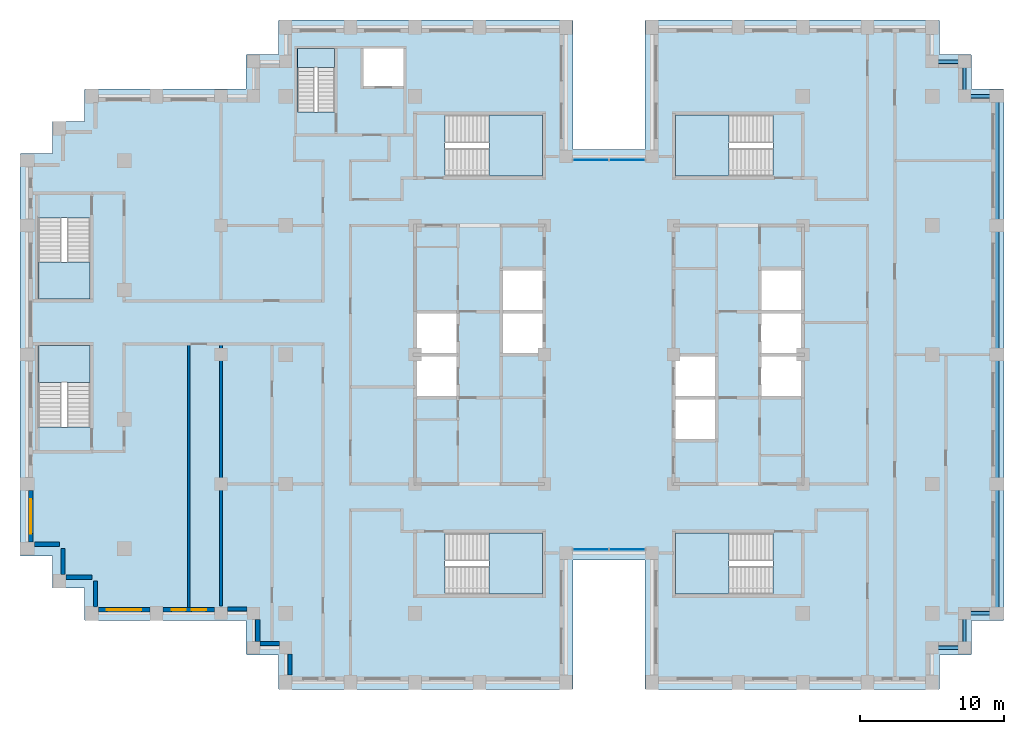
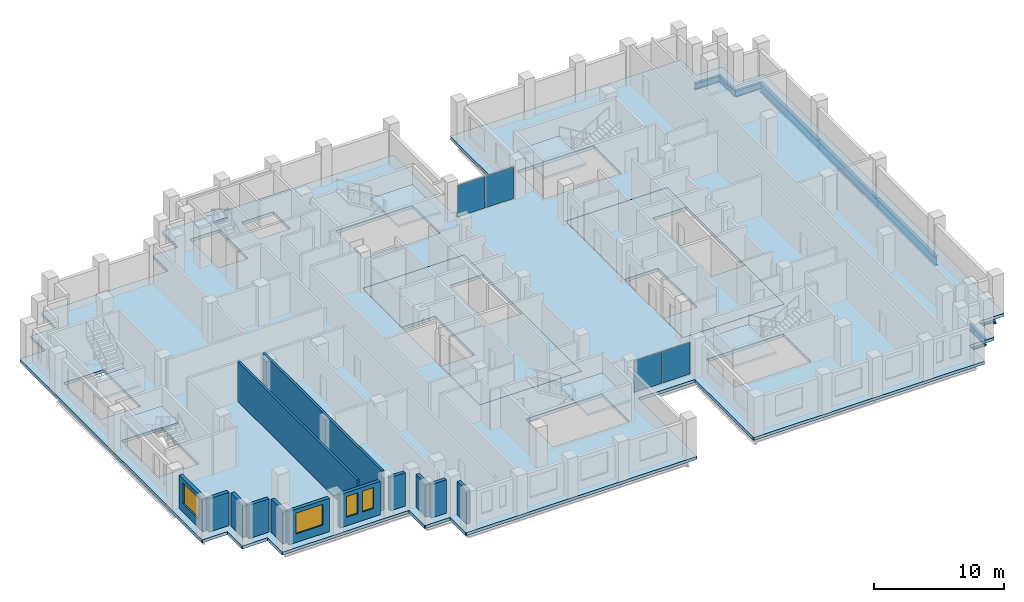
# One storey, part 5 of 15: 13 walls, 10 beams, 10 slabs, 4 plates, 4 windows, 4 openings, 9 elements without a shape of their own.
"""IFC4 building model written with IfcOpenShell, lengths in metres."""

from ifc_helpers import new_model, si_unit, direction, frame, frame_2d, origin, origin_2d, place, context, subcontext, project, spatial, polyline, rectangle, i_section, outline, extrude, material, layer, layer_set, material_profile, profile_set, type_object, element, fill, aggregate, save


model = new_model("IFC4")

# Units and contexts
model_context = context("Model", 3, precision=1e-05, world=origin(), true_north=direction((0.0, 1.0)))
body_context = subcontext(model_context, "Body", "Model", "MODEL_VIEW")
ifc_project = project(units=[si_unit("LENGTHUNIT", "METRE"), si_unit("AREAUNIT", "SQUARE_METRE"), si_unit("VOLUMEUNIT", "CUBIC_METRE"), si_unit("PLANEANGLEUNIT", "RADIAN"), si_unit("MASSUNIT", "GRAM", prefix="KILO")], contexts=[model_context])

# Site, building, storey
site_placement = place(None, origin())
site = spatial("IfcSite", under=ifc_project, at=site_placement, CompositionType="ELEMENT")
building_placement = place(site_placement, origin())
building = spatial("IfcBuilding", under=site, at=building_placement, Name="Corbelhall Arena Tower", CompositionType="ELEMENT")
storey_placement = place(building_placement, frame((0.0, 0.0, 224.0)))
storey = spatial("IfcBuildingStorey", under=building, at=storey_placement, Name="L47", CompositionType="ELEMENT", Elevation=224.0)

# Beams
ifc_material_1 = material(Name="Steel ASTM A992 Gr50", Category="steel")
ifc_material_profile_1 = material_profile(ifc_material_1, i_section(OverallWidth=0.228271484375, OverallDepth=0.607177734375, WebThickness=0.01123046875, FlangeThickness=0.017333984375, at=origin_2d()))
ifc_profile_set_1 = profile_set([ifc_material_profile_1], Name="Steel ASTM A992 Gr50")
beam_type_1 = type_object("IfcBeamType", Name="ST-SPANDREL-W24x76", PredefinedType="SPANDREL", material=ifc_profile_set_1)
for number, where, z_axis, x_axis, name in (
    (1, (27.0, -18.0, -0.58349609375), (-1.0, 0.0, 0.0), (0.0, -1.0, 0.0), "Beam SP 12"),
    (2, (22.5, 20.39990234375, -0.58349609375), (1.0, 0.0, 0.0), (0.0, 1.0, 0.0), "Beam SP 39"),
):
    element("IfcBeam", number, at=place(storey_placement, frame(where, z_axis=z_axis, x_axis=x_axis)), inside=storey, type_object=beam_type_1, Name=name, PredefinedType="SPANDREL", context=body_context, shape_type="SweptSolid", body=[
        extrude(i_section(OverallWidth=0.228271484375, OverallDepth=0.607177734375, WebThickness=0.01123046875, FlangeThickness=0.017333984375, at=origin_2d()), origin(), (0.0, 0.0, 1.0), 2.25),
    ])
beam_1_placement = place(storey_placement, frame((24.75, 20.39990234375, -0.58349609375), z_axis=(0.0, -1.0, 0.0), x_axis=(1.0, 0.0, 0.0)))
element("IfcBeam", 3, at=beam_1_placement, inside=storey, type_object=beam_type_1, Name="Beam SP 40", PredefinedType="SPANDREL", context=body_context, shape_type="SweptSolid", body=[
    extrude(i_section(OverallWidth=0.228271484375, OverallDepth=0.607177734375, WebThickness=0.01123046875, FlangeThickness=0.017333984375, at=origin_2d()), origin(), (0.0, 0.0, 1.0), 2.39990234375),
])
for number, where, z_axis, x_axis, name in (
    (4, (24.75, 18.0, -0.58349609375), (1.0, 0.0, 0.0), (0.0, 1.0, 0.0), "Beam SP 41"),
    (5, (24.75, -20.39990234375, -0.58349609375), (-1.0, 0.0, 0.0), (0.0, -1.0, 0.0), "Beam SP 46"),
):
    element("IfcBeam", number, at=place(storey_placement, frame(where, z_axis=z_axis, x_axis=x_axis)), inside=storey, type_object=beam_type_1, Name=name, PredefinedType="SPANDREL", context=body_context, shape_type="SweptSolid", body=[
        extrude(i_section(OverallWidth=0.228271484375, OverallDepth=0.607177734375, WebThickness=0.01123046875, FlangeThickness=0.017333984375, at=origin_2d()), origin(), (0.0, 0.0, 1.0), 2.25),
    ])
beam_2_placement = place(storey_placement, frame((24.75, -18.0, -0.58349609375), z_axis=(0.0, -1.0, 0.0), x_axis=(1.0, 0.0, 0.0)))
element("IfcBeam", 6, at=beam_2_placement, inside=storey, type_object=beam_type_1, Name="Beam SP 47", PredefinedType="SPANDREL", context=body_context, shape_type="SweptSolid", body=[
    extrude(i_section(OverallWidth=0.228271484375, OverallDepth=0.607177734375, WebThickness=0.01123046875, FlangeThickness=0.017333984375, at=origin_2d()), origin(), (0.0, 0.0, 1.0), 2.39990234375),
])
ifc_material_profile_2 = material_profile(ifc_material_1, i_section(OverallWidth=0.2919921875, OverallDepth=0.845703125, WebThickness=0.015380859375, FlangeThickness=0.0244140625, at=origin_2d()))
ifc_profile_set_2 = profile_set([ifc_material_profile_2], Name="Steel ASTM A992 Gr50")
beam_type_2 = type_object("IfcBeamType", Name="ST-SPANDREL-W33x141", PredefinedType="SPANDREL", material=ifc_profile_set_2)
for number, where, z_axis, x_axis, name in (
    (7, (27.0, 0.0, -0.702880859375), (0.0, -1.0, 0.0), (1.0, 0.0, 0.0), "Beam SP 8"),
    (8, (27.0, 9.0, -0.702880859375), (0.0, -1.0, 0.0), (1.0, 0.0, 0.0), "Beam SP 9"),
    (9, (27.0, 18.0, -0.702880859375), (0.0, -1.0, 0.0), (1.0, 0.0, 0.0), "Beam SP 10"),
    (10, (27.0, -9.0, -0.702880859375), (0.0, -1.0, 0.0), (1.0, 0.0, 0.0), "Beam SP 11"),
):
    element("IfcBeam", number, at=place(storey_placement, frame(where, z_axis=z_axis, x_axis=x_axis)), inside=storey, type_object=beam_type_2, Name=name, PredefinedType="SPANDREL", context=body_context, shape_type="SweptSolid", body=[
        extrude(i_section(OverallWidth=0.2919921875, OverallDepth=0.845703125, WebThickness=0.015380859375, FlangeThickness=0.0244140625, at=origin_2d()), origin(), (0.0, 0.0, 1.0), 9.0),
    ])

# Curtain wall, plates
ifc_material_2 = material(Name="Aluminium black anodised", Category="aluminium")
ifc_layer_1 = layer(ifc_material_2, 0.199951171875)
ifc_layer_set_1 = layer_set([ifc_layer_1], Name="EV-CW1 Slot back wall")
curtain_wall_type = type_object("IfcCurtainWallType", Name="EV-CW1 Slot back wall", PredefinedType="NOTDEFINED", material=ifc_layer_set_1)
curtain_wall_1_placement = place(storey_placement, origin())
curtain_wall_1 = element("IfcCurtainWall", 11, at=curtain_wall_1_placement, inside=storey, type_object=curtain_wall_type, Name="Curtain wall CW1", PredefinedType="NOTDEFINED")
ifc_material_3 = material(Name="Glass dark tinted laminated", Category="glass")
ifc_layer_2 = layer(ifc_material_3, 0.028076171875)
ifc_layer_set_2 = layer_set([ifc_layer_2], Name="EV-CW1-PANEL")
plate_type = type_object("IfcPlateType", Name="EV-CW1-PANEL", PredefinedType="CURTAIN_PANEL", material=ifc_layer_set_2)
plate_1_placement = place(storey_placement, frame((-1.25634765625, -13.550048828125, 0.0751953125), z_axis=(0.0, 0.0, 1.0), x_axis=(1.0, 0.0, 0.0)))
plate_1 = element("IfcPlate", 12, at=plate_1_placement, type_object=plate_type, Name="CW1 panel 1.1", PredefinedType="CURTAIN_PANEL", context=body_context, shape_type="SweptSolid", body=[
    extrude(rectangle(XDim=2.4375, YDim=0.028076171875, at=origin_2d()), origin(), (0.0, 0.0, 1.0), 2.969970703125),
])
plate_2_placement = place(storey_placement, frame((1.25634765625, -13.550048828125, 0.0751953125), z_axis=(0.0, 0.0, 1.0), x_axis=(1.0, 0.0, 0.0)))
plate_2 = element("IfcPlate", 13, at=plate_2_placement, type_object=plate_type, Name="CW1 panel 2.1", PredefinedType="CURTAIN_PANEL", context=body_context, shape_type="SweptSolid", body=[
    extrude(rectangle(XDim=2.4375, YDim=0.028076171875, at=origin_2d()), origin(), (0.0, 0.0, 1.0), 2.969970703125),
])
aggregate(curtain_wall_1, [plate_1, plate_2])

curtain_wall_2_placement = place(storey_placement, origin())
curtain_wall_2 = element("IfcCurtainWall", 14, at=curtain_wall_2_placement, inside=storey, type_object=curtain_wall_type, Name="Curtain wall CW1", PredefinedType="NOTDEFINED")
plate_3_placement = place(storey_placement, frame((1.25634765625, 13.550048828125, 0.0751953125), z_axis=(0.0, 0.0, 1.0), x_axis=(-1.0, 0.0, 0.0)))
plate_3 = element("IfcPlate", 15, at=plate_3_placement, type_object=plate_type, Name="CW1 panel 1.1", PredefinedType="CURTAIN_PANEL", context=body_context, shape_type="SweptSolid", body=[
    extrude(rectangle(XDim=2.4375, YDim=0.028076171875, at=origin_2d()), origin(), (0.0, 0.0, 1.0), 2.969970703125),
])
plate_4_placement = place(storey_placement, frame((-1.25634765625, 13.550048828125, 0.0751953125), z_axis=(0.0, 0.0, 1.0), x_axis=(-1.0, 0.0, 0.0)))
plate_4 = element("IfcPlate", 16, at=plate_4_placement, type_object=plate_type, Name="CW1 panel 2.1", PredefinedType="CURTAIN_PANEL", context=body_context, shape_type="SweptSolid", body=[
    extrude(rectangle(XDim=2.4375, YDim=0.028076171875, at=origin_2d()), origin(), (0.0, 0.0, 1.0), 2.969970703125),
])
aggregate(curtain_wall_2, [plate_3, plate_4])

# Slabs
ifc_material_4 = material(Name="Concrete C40/50", Category="concrete")
ifc_layer_3 = layer(ifc_material_4, 0.300048828125)
ifc_layer_set_3 = layer_set([ifc_layer_3], Name="IN-SL-CORE")
slab_type_1 = type_object("IfcSlabType", Name="IN-SL-CORE", PredefinedType="FLOOR", material=ifc_layer_set_3)
slab_1_placement = place(storey_placement, frame((0.0, 0.0, -0.280029296875)))
element("IfcSlab", 17, at=slab_1_placement, inside=storey, type_object=slab_type_1, Name="Core floor W", PredefinedType="FLOOR", context=body_context, shape_type="SweptSolid", body=[
    extrude(outline(polyline([(-10.5, -3.0), (-13.5, -3.0), (-13.5, -9.0), (-4.5, -9.0), (-4.5, 0.0), (-7.5, 0.0), (-7.5, 3.0), (-7.5, 6.0), (-4.5, 6.0), (-4.5, 9.0), (-13.5, 9.0), (-13.5, 3.0), (-10.5, 3.0), (-10.5, 0.0), (-10.5, -3.0)])), origin(), (0.0, 0.0, 1.0), 0.280029296875),
])
slab_2_placement = place(storey_placement, frame((0.0, 0.0, -0.280029296875)))
element("IfcSlab", 18, at=slab_2_placement, inside=storey, type_object=slab_type_1, Name="Core floor E", PredefinedType="FLOOR", context=body_context, shape_type="SweptSolid", body=[
    extrude(outline(polyline([(13.5, -3.0), (10.5, -3.0), (10.5, 0.0), (10.5, 3.0), (10.5, 6.0), (13.5, 6.0), (13.5, 9.0), (4.5, 9.0), (4.5, 0.0), (7.5, 0.0), (7.5, -3.0), (7.5, -6.0), (4.5, -6.0), (4.5, -9.0), (13.5, -9.0), (13.5, -3.0)])), origin(), (0.0, 0.0, 1.0), 0.280029296875),
])

# Stair, slab
stair_type = type_object("IfcStairType", Name="IN-ST-TOWER", PredefinedType="HALF_TURN_STAIR", material=ifc_material_4)
stair_1_placement = place(storey_placement, origin())
stair_1 = element("IfcStair", 19, at=stair_1_placement, inside=storey, type_object=stair_type, Name="L47 Exit stair ST1", PredefinedType="HALF_TURN_STAIR")
ifc_layer_4 = layer(ifc_material_4, 0.199951171875)
ifc_layer_set_4 = layer_set([ifc_layer_4], Name="IN-SL-LANDING")
slab_type_2 = type_object("IfcSlabType", Name="IN-SL-LANDING", PredefinedType="LANDING", material=ifc_layer_set_4)
slab_3_placement = place(storey_placement, frame((0.0, 0.0, 1.800048828125)))
slab_3 = element("IfcSlab", 20, at=slab_3_placement, type_object=slab_type_2, Name="ST1 landing 1", PredefinedType="LANDING", context=body_context, shape_type="SweptSolid", body=[
    extrude(outline(polyline([(-8.344970703125, 12.425048828125), (-4.625, 12.425048828125), (-4.625, 16.675048828125), (-8.344970703125, 16.675048828125), (-8.344970703125, 12.425048828125)])), origin(), (0.0, 0.0, 1.0), 0.199951171875),
])
aggregate(stair_1, [slab_3])

stair_2_placement = place(storey_placement, origin())
stair_2 = element("IfcStair", 21, at=stair_2_placement, inside=storey, type_object=stair_type, Name="L47 Exit stair ST2", PredefinedType="HALF_TURN_STAIR")
slab_4_placement = place(storey_placement, frame((0.0, 0.0, 1.800048828125)))
slab_4 = element("IfcSlab", 22, at=slab_4_placement, type_object=slab_type_2, Name="ST2 landing 1", PredefinedType="LANDING", context=body_context, shape_type="SweptSolid", body=[
    extrude(outline(polyline([(-8.344970703125, -16.675048828125), (-4.625, -16.675048828125), (-4.625, -12.425048828125), (-8.344970703125, -12.425048828125), (-8.344970703125, -16.675048828125)])), origin(), (0.0, 0.0, 1.0), 0.199951171875),
])
aggregate(stair_2, [slab_4])

stair_3_placement = place(storey_placement, origin())
stair_3 = element("IfcStair", 23, at=stair_3_placement, inside=storey, type_object=stair_type, Name="L47 Exit stair ST3", PredefinedType="HALF_TURN_STAIR")
slab_5_placement = place(storey_placement, frame((0.0, 0.0, 1.800048828125)))
slab_5 = element("IfcSlab", 24, at=slab_5_placement, type_object=slab_type_2, Name="ST3 landing 1", PredefinedType="LANDING", context=body_context, shape_type="SweptSolid", body=[
    extrude(outline(polyline([(8.344970703125, 16.675048828125), (4.625, 16.675048828125), (4.625, 12.425048828125), (8.344970703125, 12.425048828125), (8.344970703125, 16.675048828125)])), origin(), (0.0, 0.0, 1.0), 0.199951171875),
])
aggregate(stair_3, [slab_5])

stair_4_placement = place(storey_placement, origin())
stair_4 = element("IfcStair", 25, at=stair_4_placement, inside=storey, type_object=stair_type, Name="L47 Exit stair ST4", PredefinedType="HALF_TURN_STAIR")
slab_6_placement = place(storey_placement, frame((0.0, 0.0, 1.800048828125)))
slab_6 = element("IfcSlab", 26, at=slab_6_placement, type_object=slab_type_2, Name="ST4 landing 1", PredefinedType="LANDING", context=body_context, shape_type="SweptSolid", body=[
    extrude(outline(polyline([(8.344970703125, -12.425048828125), (4.625, -12.425048828125), (4.625, -16.675048828125), (8.344970703125, -16.675048828125), (8.344970703125, -12.425048828125)])), origin(), (0.0, 0.0, 1.0), 0.199951171875),
])
aggregate(stair_4, [slab_6])

stair_5_placement = place(storey_placement, origin())
stair_5 = element("IfcStair", 27, at=stair_5_placement, inside=storey, type_object=stair_type, Name="L47 Exit stair SC1", PredefinedType="HALF_TURN_STAIR")
slab_7_placement = place(storey_placement, frame((0.0, 0.0, 1.800048828125)))
slab_7 = element("IfcSlab", 28, at=slab_7_placement, type_object=slab_type_2, Name="SC1 landing 1", PredefinedType="LANDING", context=body_context, shape_type="SweptSolid", body=[
    extrude(outline(polyline([(-39.699951171875, 6.445068359375), (-39.699951171875, 3.875), (-36.125, 3.875), (-36.125, 6.445068359375), (-39.699951171875, 6.445068359375)])), origin(), (0.0, 0.0, 1.0), 0.199951171875),
])
aggregate(stair_5, [slab_7])

stair_6_placement = place(storey_placement, origin())
stair_6 = element("IfcStair", 29, at=stair_6_placement, inside=storey, type_object=stair_type, Name="L47 Exit stair SC2", PredefinedType="HALF_TURN_STAIR")
slab_8_placement = place(storey_placement, frame((0.0, 0.0, 1.800048828125)))
slab_8 = element("IfcSlab", 30, at=slab_8_placement, type_object=slab_type_2, Name="SC2 landing 1", PredefinedType="LANDING", context=body_context, shape_type="SweptSolid", body=[
    extrude(outline(polyline([(-36.125, -1.945068359375), (-36.125, 0.625), (-39.699951171875, 0.625), (-39.699951171875, -1.945068359375), (-36.125, -1.945068359375)])), origin(), (0.0, 0.0, 1.0), 0.199951171875),
])
aggregate(stair_6, [slab_8])

stair_7_placement = place(storey_placement, origin())
stair_7 = element("IfcStair", 31, at=stair_7_placement, inside=storey, type_object=stair_type, Name="L47 Exit stair ST5", PredefinedType="HALF_TURN_STAIR")
slab_9_placement = place(storey_placement, frame((0.0, 0.0, 1.800048828125)))
slab_9 = element("IfcSlab", 32, at=slab_9_placement, type_object=slab_type_2, Name="ST5 landing 1", PredefinedType="LANDING", context=body_context, shape_type="SweptSolid", body=[
    extrude(outline(polyline([(-19.094970703125, 19.97998046875), (-19.094970703125, 21.300048828125), (-21.695068359375, 21.300048828125), (-21.695068359375, 19.97998046875), (-19.094970703125, 19.97998046875)])), origin(), (0.0, 0.0, 1.0), 0.199951171875),
])
aggregate(stair_7, [slab_9])

# Slab
ifc_layer_5 = layer(ifc_material_4, 0.280029296875)
ifc_layer_set_5 = layer_set([ifc_layer_5], Name="ST-SLAB-FLOOR-280")
slab_type_3 = type_object("IfcSlabType", Name="ST-SLAB-FLOOR-280", PredefinedType="FLOOR", material=ifc_layer_set_5)
slab_10_placement = place(storey_placement, frame((0.0, 0.0, -0.280029296875)))
element("IfcSlab", 33, at=slab_10_placement, inside=storey, type_object=slab_type_3, Name="Floor slab L47 1", PredefinedType="FLOOR", context=body_context, shape_type="SweptSolid", body=[
    extrude(outline(polyline([(23.0, 23.25), (22.949951171875, 23.300048828125), (2.550048828125, 23.300048828125), (2.5, 23.25), (2.5, 14.300048828125), (-2.5, 14.300048828125), (-2.5, 23.25), (-2.550048828125, 23.300048828125), (-22.949951171875, 23.300048828125), (-23.0, 23.25), (-23.0, 20.89990234375), (-25.199951171875, 20.89990234375), (-25.25, 20.85009765625), (-25.25, 18.5), (-36.449951171875, 18.5), (-36.5, 18.449951171875), (-36.5, 16.25), (-38.699951171875, 16.25), (-38.75, 16.199951171875), (-38.75, 14.0), (-40.949951171875, 14.0), (-41.0, 13.949951171875), (-41.0, -13.949951171875), (-40.949951171875, -14.0), (-38.75, -14.0), (-38.75, -16.199951171875), (-38.699951171875, -16.25), (-36.5, -16.25), (-36.5, -18.449951171875), (-36.449951171875, -18.5), (-25.25, -18.5), (-25.25, -20.85009765625), (-25.199951171875, -20.89990234375), (-23.0, -20.89990234375), (-23.0, -23.25), (-22.949951171875, -23.300048828125), (-2.550048828125, -23.300048828125), (-2.5, -23.25), (-2.5, -14.300048828125), (2.5, -14.300048828125), (2.5, -23.25), (2.550048828125, -23.300048828125), (22.949951171875, -23.300048828125), (23.0, -23.25), (23.0, -20.89990234375), (25.199951171875, -20.89990234375), (25.25, -20.85009765625), (25.25, -18.5), (27.449951171875, -18.5), (27.5, -18.449951171875), (27.5, 18.449951171875), (27.449951171875, 18.5), (25.25, 18.5), (25.25, 20.85009765625), (25.199951171875, 20.89990234375), (23.0, 20.89990234375), (23.0, 23.25)]), holes=[polyline([(-4.5, -9.0), (-4.5, 9.0), (-13.5, 9.0), (-13.5, -9.0), (-4.5, -9.0)]), polyline([(13.5, -9.0), (13.5, 9.0), (4.5, 9.0), (4.5, -9.0), (13.5, -9.0)]), polyline([(-11.422119140625, 12.425048828125), (-4.625, 12.425048828125), (-4.625, 16.675048828125), (-11.422119140625, 16.675048828125), (-11.422119140625, 12.425048828125)]), polyline([(-11.422119140625, -12.425048828125), (-11.422119140625, -16.675048828125), (-4.625, -16.675048828125), (-4.625, -12.425048828125), (-11.422119140625, -12.425048828125)]), polyline([(4.625, 12.425048828125), (11.422119140625, 12.425048828125), (11.422119140625, 16.675048828125), (4.625, 16.675048828125), (4.625, 12.425048828125)]), polyline([(4.625, -12.425048828125), (4.625, -16.675048828125), (11.422119140625, -16.675048828125), (11.422119140625, -12.425048828125), (4.625, -12.425048828125)]), polyline([(-39.699951171875, 9.52197265625), (-39.699951171875, 3.875), (-36.125, 3.875), (-36.125, 9.52197265625), (-39.699951171875, 9.52197265625)]), polyline([(-39.699951171875, -5.02197265625), (-36.125, -5.02197265625), (-36.125, 0.625), (-39.699951171875, 0.625), (-39.699951171875, -5.02197265625)]), polyline([(-21.695068359375, 21.300048828125), (-21.695068359375, 16.903076171875), (-19.094970703125, 16.903076171875), (-19.094970703125, 21.300048828125), (-21.695068359375, 21.300048828125)]), polyline([(-14.300048828125, 21.300048828125), (-17.10009765625, 21.300048828125), (-17.10009765625, 18.699951171875), (-14.300048828125, 18.699951171875), (-14.300048828125, 21.300048828125)])]), origin(), (0.0, 0.0, 1.0), 0.280029296875),
])

# Walls
ifc_material_5 = material(Name="Precast concrete C40/50 with granite facing", Category="masonry")
ifc_layer_6 = layer(ifc_material_5, 0.300048828125)
ifc_layer_set_6 = layer_set([ifc_layer_6], Name="EV-IW1 Infill panel 300")
wall_type_1 = type_object("IfcWallType", Name="EV-IW1 Infill panel 300", PredefinedType="SOLIDWALL", material=ifc_layer_set_6)
wall_1_placement = place(storey_placement, frame((-40.0, -13.199951171875, 0.0), z_axis=(0.0, 0.0, 1.0), x_axis=(1.0, 0.0, 0.0)))
element("IfcWall", 34, at=wall_1_placement, inside=storey, type_object=wall_type_1, Name="Infill panel IW1", PredefinedType="SOLIDWALL", context=body_context, shape_type="SweptSolid", body=[
    extrude(rectangle(XDim=1.75, YDim=0.300048828125, at=frame_2d((0.875, 0.0))), origin(), (0.0, 0.0, 1.0), 3.1201171875),
])
for number, where, z_axis, x_axis, name in (
    (35, (-38.0, -15.300048828125, 0.0), (0.0, 0.0, 1.0), (0.0, 1.0, 0.0), "Infill panel IW1"),
    (36, (-37.800048828125, -15.5, 0.0), (0.0, 0.0, 1.0), (1.0, 0.0, 0.0), "Infill panel IW1"),
    (37, (-35.75, -17.550048828125, 0.0), (0.0, 0.0, 1.0), (0.0, 1.0, 0.0), "Infill panel IW1"),
):
    element("IfcWall", number, at=place(storey_placement, frame(where, z_axis=z_axis, x_axis=x_axis)), inside=storey, type_object=wall_type_1, Name=name, PredefinedType="SOLIDWALL", context=body_context, shape_type="SweptSolid", body=[
        extrude(rectangle(XDim=1.800048828125, YDim=0.300048828125, at=frame_2d((0.89990234375, 0.0))), origin(), (0.0, 0.0, 1.0), 3.1201171875),
    ])

# Wall, opening, window
wall_2_placement = place(storey_placement, frame((-40.25, -9.449951171875, 0.0), z_axis=(0.0, 0.0, 1.0), x_axis=(0.0, -1.0, 0.0)))
wall_2 = element("IfcWall", 38, at=wall_2_placement, inside=storey, type_object=wall_type_1, Name="Infill panel IW1", PredefinedType="SOLIDWALL", context=body_context, shape_type="SweptSolid", body=[
    extrude(rectangle(XDim=3.60009765625, YDim=0.300048828125, at=frame_2d((1.800048828125, 0.0))), origin(), (0.0, 0.0, 1.0), 3.1201171875),
])
opening_1_placement = place(wall_2_placement, frame((0.60009765625, 0.0, 0.800048828125)))
opening_1 = element("IfcOpeningElement", 39, at=opening_1_placement, cuts=wall_2, Name="Opening WN1", PredefinedType="OPENING", context=body_context, shape_type="SweptSolid", body=[
    extrude(rectangle(XDim=2.39990234375, YDim=1.949951171875, at=frame_2d((1.199951171875, 0.97509765625))), frame((0.0, 0.14990234375, 0.0), z_axis=(0.0, -1.0, 0.0), x_axis=(1.0, 0.0, 0.0)), (0.0, 0.0, 1.0), 0.300048828125),
])
window_type_1 = type_object("IfcWindowType", Name="EV-WN1 Office window", PartitioningType="SINGLE_PANEL", PredefinedType="WINDOW", material=ifc_material_2)
window_1_placement = place(opening_1_placement, origin())
window_1 = element("IfcWindow", 40, at=window_1_placement, inside=storey, type_object=window_type_1, Name="Window WN1", OverallHeight=1.949951171875, OverallWidth=2.39990234375, PartitioningType="SINGLE_PANEL", PredefinedType="WINDOW", context=body_context, shape_type="SweptSolid", body=[
    extrude(rectangle(XDim=2.39990234375, YDim=1.949951171875, at=frame_2d((1.199951171875, 0.97509765625))), frame((0.0, 0.030029296875, 0.0), z_axis=(0.0, -1.0, 0.0), x_axis=(1.0, 0.0, 0.0)), (0.0, 0.0, 1.0), 0.06005859375),
])
fill(opening_1, window_1)

wall_3_placement = place(storey_placement, frame((-35.550048828125, -17.75, 0.0), z_axis=(0.0, 0.0, 1.0), x_axis=(1.0, 0.0, 0.0)))
wall_3 = element("IfcWall", 41, at=wall_3_placement, inside=storey, type_object=wall_type_1, Name="Infill panel IW1", PredefinedType="SOLIDWALL", context=body_context, shape_type="SweptSolid", body=[
    extrude(rectangle(XDim=3.60009765625, YDim=0.300048828125, at=frame_2d((1.800048828125, 0.0))), origin(), (0.0, 0.0, 1.0), 3.1201171875),
])
opening_2_placement = place(wall_3_placement, frame((0.60009765625, 0.0, 0.800048828125)))
opening_2 = element("IfcOpeningElement", 42, at=opening_2_placement, cuts=wall_3, Name="Opening WN1", PredefinedType="OPENING", context=body_context, shape_type="SweptSolid", body=[
    extrude(rectangle(XDim=2.39990234375, YDim=1.949951171875, at=frame_2d((1.199951171875, 0.97509765625))), frame((0.0, 0.14990234375, 0.0), z_axis=(0.0, -1.0, 0.0), x_axis=(1.0, 0.0, 0.0)), (0.0, 0.0, 1.0), 0.300048828125),
])
window_2_placement = place(opening_2_placement, origin())
window_2 = element("IfcWindow", 43, at=window_2_placement, inside=storey, type_object=window_type_1, Name="Window WN1", OverallHeight=1.949951171875, OverallWidth=2.39990234375, PartitioningType="SINGLE_PANEL", PredefinedType="WINDOW", context=body_context, shape_type="SweptSolid", body=[
    extrude(rectangle(XDim=2.39990234375, YDim=1.949951171875, at=frame_2d((1.199951171875, 0.97509765625))), frame((0.0, 0.030029296875, 0.0), z_axis=(0.0, -1.0, 0.0), x_axis=(1.0, 0.0, 0.0)), (0.0, 0.0, 1.0), 0.06005859375),
])
fill(opening_2, window_2)

# Wall, openings, windows
wall_4_placement = place(storey_placement, frame((-31.050048828125, -17.75, 0.0), z_axis=(0.0, 0.0, 1.0), x_axis=(1.0, 0.0, 0.0)))
wall_4 = element("IfcWall", 44, at=wall_4_placement, inside=storey, type_object=wall_type_1, Name="Infill panel IW1", PredefinedType="SOLIDWALL", context=body_context, shape_type="SweptSolid", body=[
    extrude(rectangle(XDim=3.60009765625, YDim=0.300048828125, at=frame_2d((1.800048828125, 0.0))), origin(), (0.0, 0.0, 1.0), 3.1201171875),
])
opening_3_placement = place(wall_4_placement, frame((0.60009765625, 0.0, 0.800048828125)))
opening_3 = element("IfcOpeningElement", 45, at=opening_3_placement, cuts=wall_4, Name="Opening WN6", PredefinedType="OPENING", context=body_context, shape_type="SweptSolid", body=[
    extrude(rectangle(XDim=1.0, YDim=1.949951171875, at=frame_2d((0.5, 0.97509765625))), frame((0.0, 0.14990234375, 0.0), z_axis=(0.0, -1.0, 0.0), x_axis=(1.0, 0.0, 0.0)), (0.0, 0.0, 1.0), 0.300048828125),
])
opening_4_placement = place(wall_4_placement, frame((2.0, 0.0, 0.800048828125)))
opening_4 = element("IfcOpeningElement", 46, at=opening_4_placement, cuts=wall_4, Name="Opening WN6", PredefinedType="OPENING", context=body_context, shape_type="SweptSolid", body=[
    extrude(rectangle(XDim=1.0, YDim=1.949951171875, at=frame_2d((0.5, 0.97509765625))), frame((0.0, 0.14990234375, 0.0), z_axis=(0.0, -1.0, 0.0), x_axis=(1.0, 0.0, 0.0)), (0.0, 0.0, 1.0), 0.300048828125),
])
window_type_2 = type_object("IfcWindowType", Name="EV-WN6 Office window 1000", PartitioningType="SINGLE_PANEL", PredefinedType="WINDOW", material=ifc_material_2)
window_3_placement = place(opening_3_placement, origin())
window_3 = element("IfcWindow", 47, at=window_3_placement, inside=storey, type_object=window_type_2, Name="Window WN6", OverallHeight=1.949951171875, OverallWidth=1.0, PartitioningType="SINGLE_PANEL", PredefinedType="WINDOW", context=body_context, shape_type="SweptSolid", body=[
    extrude(rectangle(XDim=1.0, YDim=1.949951171875, at=frame_2d((0.5, 0.97509765625))), frame((0.0, 0.030029296875, 0.0), z_axis=(0.0, -1.0, 0.0), x_axis=(1.0, 0.0, 0.0)), (0.0, 0.0, 1.0), 0.06005859375),
])
fill(opening_3, window_3)
window_4_placement = place(opening_4_placement, origin())
window_4 = element("IfcWindow", 48, at=window_4_placement, inside=storey, type_object=window_type_2, Name="Window WN6", OverallHeight=1.949951171875, OverallWidth=1.0, PartitioningType="SINGLE_PANEL", PredefinedType="WINDOW", context=body_context, shape_type="SweptSolid", body=[
    extrude(rectangle(XDim=1.0, YDim=1.949951171875, at=frame_2d((0.5, 0.97509765625))), frame((0.0, 0.030029296875, 0.0), z_axis=(0.0, -1.0, 0.0), x_axis=(1.0, 0.0, 0.0)), (0.0, 0.0, 1.0), 0.06005859375),
])
fill(opening_4, window_4)

# Walls
wall_5_placement = place(storey_placement, frame((-26.550048828125, -17.699951171875, 0.0), z_axis=(0.0, 0.0, 1.0), x_axis=(1.0, 0.0, 0.0)))
element("IfcWall", 49, at=wall_5_placement, inside=storey, type_object=wall_type_1, Name="Infill panel IW1", PredefinedType="SOLIDWALL", context=body_context, shape_type="SweptSolid", body=[
    extrude(rectangle(XDim=1.35009765625, YDim=0.300048828125, at=frame_2d((0.675048828125, 0.0))), origin(), (0.0, 0.0, 1.0), 3.1201171875),
])
wall_6_placement = place(storey_placement, frame((-24.449951171875, -18.449951171875, 0.0), z_axis=(0.0, 0.0, 1.0), x_axis=(0.0, -1.0, 0.0)))
element("IfcWall", 50, at=wall_6_placement, inside=storey, type_object=wall_type_1, Name="Infill panel IW1", PredefinedType="SOLIDWALL", context=body_context, shape_type="SweptSolid", body=[
    extrude(rectangle(XDim=1.5, YDim=0.300048828125, at=frame_2d((0.75, 0.0))), origin(), (0.0, 0.0, 1.0), 3.1201171875),
])
wall_7_placement = place(storey_placement, frame((-24.300048828125, -20.10009765625, 0.0), z_axis=(0.0, 0.0, 1.0), x_axis=(1.0, 0.0, 0.0)))
element("IfcWall", 51, at=wall_7_placement, inside=storey, type_object=wall_type_1, Name="Infill panel IW1", PredefinedType="SOLIDWALL", context=body_context, shape_type="SweptSolid", body=[
    extrude(rectangle(XDim=1.35009765625, YDim=0.300048828125, at=frame_2d((0.675048828125, 0.0))), origin(), (0.0, 0.0, 1.0), 3.1201171875),
])
wall_8_placement = place(storey_placement, frame((-22.199951171875, -20.85009765625, 0.0), z_axis=(0.0, 0.0, 1.0), x_axis=(0.0, -1.0, 0.0)))
element("IfcWall", 52, at=wall_8_placement, inside=storey, type_object=wall_type_1, Name="Infill panel IW1", PredefinedType="SOLIDWALL", context=body_context, shape_type="SweptSolid", body=[
    extrude(rectangle(XDim=1.449951171875, YDim=0.300048828125, at=frame_2d((0.72509765625, 0.0))), origin(), (0.0, 0.0, 1.0), 3.1201171875),
])
ifc_material_6 = material(Name="Gypsum board on steel stud, acoustic", Category="steel")
ifc_layer_7 = layer(ifc_material_6, 0.199951171875)
ifc_layer_set_7 = layer_set([ifc_layer_7], Name="IN-W-DM200")
wall_type_2 = type_object("IfcWallType", Name="IN-W-DM200", PredefinedType="PARTITIONING", material=ifc_layer_set_7)
wall_9_placement = place(storey_placement, frame((-29.25, 0.75, 0.0), z_axis=(0.0, 0.0, 1.0), x_axis=(0.0, -1.0, 0.0)))
element("IfcWall", 53, at=wall_9_placement, inside=storey, type_object=wall_type_2, Name="Partition 006", PredefinedType="PARTITIONING", context=body_context, shape_type="SweptSolid", body=[
    extrude(rectangle(XDim=18.35009765625, YDim=0.199951171875, at=frame_2d((9.175048828125, 0.0))), origin(), (0.0, 0.0, 1.0), 3.719970703125),
])
wall_10_placement = place(storey_placement, frame((-27.0, -17.5, 0.0), z_axis=(0.0, 0.0, 1.0), x_axis=(0.0, 1.0, 0.0)))
element("IfcWall", 54, at=wall_10_placement, inside=storey, type_object=wall_type_2, Name="Partition 010", PredefinedType="PARTITIONING", context=body_context, shape_type="SweptSolid", body=[
    extrude(rectangle(XDim=18.25, YDim=0.199951171875, at=frame_2d((9.125, 0.0))), origin(), (0.0, 0.0, 1.0), 3.719970703125),
])

save(model, "model.ifc")
